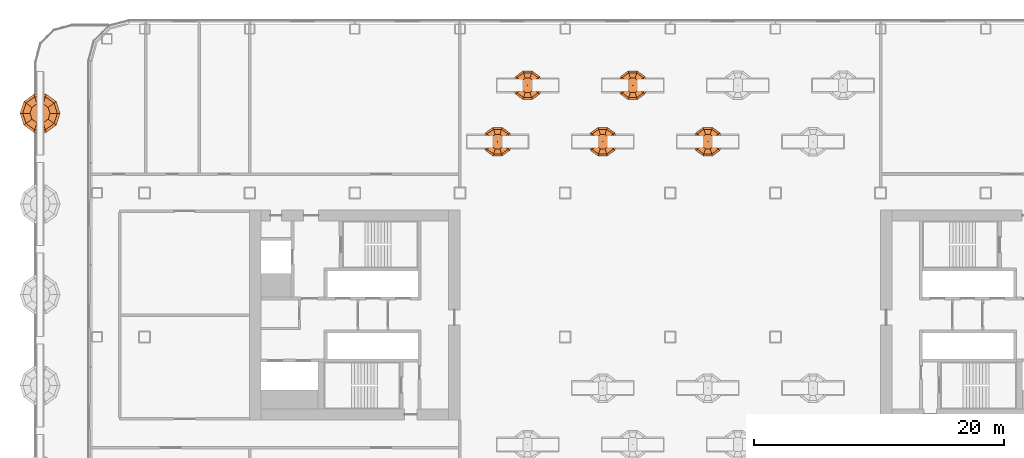
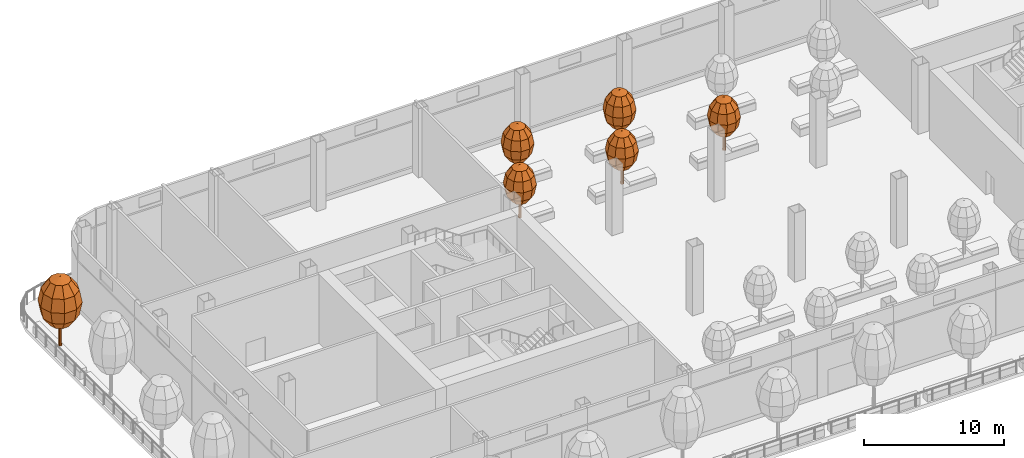
# One storey, part 41 of 44: 6 geographic elements.
"""IFC4 building model written with IfcOpenShell, lengths in metres."""

from ifc_helpers import new_model, si_unit, direction, frame, origin, place, context, subcontext, project, spatial, triangles, material, type_object, element, save


model = new_model("IFC4")

# Units and contexts
model_context = context("Model", 3, precision=1e-05, world=origin(), true_north=direction((0.0, 1.0)))
body_context = subcontext(model_context, "Body", "Model", "MODEL_VIEW")
ifc_project = project(units=[si_unit("LENGTHUNIT", "METRE"), si_unit("AREAUNIT", "SQUARE_METRE"), si_unit("VOLUMEUNIT", "CUBIC_METRE"), si_unit("PLANEANGLEUNIT", "RADIAN"), si_unit("MASSUNIT", "GRAM", prefix="KILO")], contexts=[model_context])

# Site, building, storey
site_placement = place(None, origin())
site = spatial("IfcSite", under=ifc_project, at=site_placement, CompositionType="ELEMENT")
building_placement = place(site_placement, origin())
building = spatial("IfcBuilding", under=site, at=building_placement, Name="Hakoniwa Tower and Hamabe Station Hall", CompositionType="ELEMENT")
storey_placement = place(building_placement, frame((0.0, 0.0, 69.0)))
storey = spatial("IfcBuildingStorey", under=building, at=storey_placement, Name="L19", CompositionType="ELEMENT", Elevation=69.0)

# Geographic elements
ifc_material_1 = material(Name="Tree foliage")
geographic_element_type_1 = type_object("IfcGeographicElementType", Name="Camellia 4.6 m", PredefinedType="USERDEFINED", material=ifc_material_1)
geographic_element_1_placement = place(storey_placement, frame((-13.800048828125, 13.85009765625, 0.60009765625)))
element("IfcGeographicElement", 1, at=geographic_element_1_placement, inside=storey, type_object=geographic_element_type_1, Name="Camellia 4-6 m", ObjectType="TREE", PredefinedType="USERDEFINED", context=body_context, shape_type="Tessellation", body=[
    triangles([(0.125, 0.0, 0.0), (0.08837890625, 0.08837890625, 0.0), (0.0, 0.125, 0.0), (-0.08837890625, 0.08837890625, 0.0), (-0.125, 0.0, 0.0), (-0.08837890625, -0.08837890625, 0.0), (0.0, -0.125, 0.0), (0.08837890625, -0.08837890625, 0.0), (0.074951171875, 0.0, 2.778564453125), (0.052978515625, 0.052978515625, 2.778564453125), (0.0, 0.074951171875, 2.778564453125), (-0.052978515625, 0.052978515625, 2.778564453125), (-0.074951171875, 0.0, 2.778564453125), (-0.052978515625, -0.052978515625, 2.778564453125), (0.0, -0.074951171875, 2.778564453125), (0.052978515625, -0.052978515625, 2.778564453125), (0.0, 0.0, 0.0), (0.0, 0.0, 2.778564453125)], [[1, 2, 10], [1, 10, 9], [17, 2, 1], [18, 9, 10], [2, 3, 11], [2, 11, 10], [17, 3, 2], [18, 10, 11], [3, 4, 12], [3, 12, 11], [17, 4, 3], [18, 11, 12], [4, 5, 13], [4, 13, 12], [17, 5, 4], [18, 12, 13], [5, 6, 14], [5, 14, 13], [17, 6, 5], [18, 13, 14], [6, 7, 15], [6, 15, 14], [17, 7, 6], [18, 14, 15], [7, 8, 16], [7, 16, 15], [17, 8, 7], [18, 15, 16], [8, 1, 9], [8, 9, 16], [17, 1, 8], [18, 16, 9]], closed=True),
    triangles([(0.0, 0.0, 1.2880859375), (0.599853515625, 0.0, 1.510009765625), (0.4853515625, 0.3525390625, 1.510009765625), (0.185302734375, 0.570556640625, 1.510009765625), (-0.185302734375, 0.570556640625, 1.510009765625), (-0.4853515625, 0.3525390625, 1.510009765625), (-0.599853515625, 0.0, 1.510009765625), (-0.4853515625, -0.3525390625, 1.510009765625), (-0.185302734375, -0.570556640625, 1.510009765625), (0.185302734375, -0.570556640625, 1.510009765625), (0.4853515625, -0.3525390625, 1.510009765625), (1.039306640625, 0.0, 2.115966796875), (0.8408203125, 0.61083984375, 2.115966796875), (0.321044921875, 0.98828125, 2.115966796875), (-0.321044921875, 0.98828125, 2.115966796875), (-0.8408203125, 0.61083984375, 2.115966796875), (-1.039306640625, 0.0, 2.115966796875), (-0.8408203125, -0.61083984375, 2.115966796875), (-0.321044921875, -0.98828125, 2.115966796875), (0.321044921875, -0.98828125, 2.115966796875), (0.8408203125, -0.61083984375, 2.115966796875), (1.199951171875, 0.0, 2.944091796875), (0.970703125, 0.705322265625, 2.944091796875), (0.370849609375, 1.14111328125, 2.944091796875), (-0.370849609375, 1.14111328125, 2.944091796875), (-0.970703125, 0.705322265625, 2.944091796875), (-1.199951171875, 0.0, 2.944091796875), (-0.970703125, -0.705322265625, 2.944091796875), (-0.370849609375, -1.14111328125, 2.944091796875), (0.370849609375, -1.14111328125, 2.944091796875), (0.970703125, -0.705322265625, 2.944091796875), (1.039306640625, 0.0, 3.77197265625), (0.8408203125, 0.61083984375, 3.77197265625), (0.321044921875, 0.98828125, 3.77197265625), (-0.321044921875, 0.98828125, 3.77197265625), (-0.8408203125, 0.61083984375, 3.77197265625), (-1.039306640625, 0.0, 3.77197265625), (-0.8408203125, -0.61083984375, 3.77197265625), (-0.321044921875, -0.98828125, 3.77197265625), (0.321044921875, -0.98828125, 3.77197265625), (0.8408203125, -0.61083984375, 3.77197265625), (0.599853515625, 0.0, 4.378173828125), (0.4853515625, 0.3525390625, 4.378173828125), (0.185302734375, 0.570556640625, 4.378173828125), (-0.185302734375, 0.570556640625, 4.378173828125), (-0.4853515625, 0.3525390625, 4.378173828125), (-0.599853515625, 0.0, 4.378173828125), (-0.4853515625, -0.3525390625, 4.378173828125), (-0.185302734375, -0.570556640625, 4.378173828125), (0.185302734375, -0.570556640625, 4.378173828125), (0.4853515625, -0.3525390625, 4.378173828125), (0.0, 0.0, 4.60009765625)], [[1, 3, 2], [1, 4, 3], [1, 5, 4], [1, 6, 5], [1, 7, 6], [1, 8, 7], [1, 9, 8], [1, 10, 9], [1, 11, 10], [1, 2, 11], [2, 3, 13], [2, 13, 12], [3, 4, 14], [3, 14, 13], [4, 5, 15], [4, 15, 14], [5, 6, 16], [5, 16, 15], [6, 7, 17], [6, 17, 16], [7, 8, 18], [7, 18, 17], [8, 9, 19], [8, 19, 18], [9, 10, 20], [9, 20, 19], [10, 11, 21], [10, 21, 20], [11, 2, 12], [11, 12, 21], [12, 13, 23], [12, 23, 22], [13, 14, 24], [13, 24, 23], [14, 15, 25], [14, 25, 24], [15, 16, 26], [15, 26, 25], [16, 17, 27], [16, 27, 26], [17, 18, 28], [17, 28, 27], [18, 19, 29], [18, 29, 28], [19, 20, 30], [19, 30, 29], [20, 21, 31], [20, 31, 30], [21, 12, 22], [21, 22, 31], [22, 23, 33], [22, 33, 32], [23, 24, 34], [23, 34, 33], [24, 25, 35], [24, 35, 34], [25, 26, 36], [25, 36, 35], [26, 27, 37], [26, 37, 36], [27, 28, 38], [27, 38, 37], [28, 29, 39], [28, 39, 38], [29, 30, 40], [29, 40, 39], [30, 31, 41], [30, 41, 40], [31, 22, 32], [31, 32, 41], [32, 33, 43], [32, 43, 42], [33, 34, 44], [33, 44, 43], [34, 35, 45], [34, 45, 44], [35, 36, 46], [35, 46, 45], [36, 37, 47], [36, 47, 46], [37, 38, 48], [37, 48, 47], [38, 39, 49], [38, 49, 48], [39, 40, 50], [39, 50, 49], [40, 41, 51], [40, 51, 50], [41, 32, 42], [41, 42, 51], [52, 42, 43], [52, 43, 44], [52, 44, 45], [52, 45, 46], [52, 46, 47], [52, 47, 48], [52, 48, 49], [52, 49, 50], [52, 50, 51], [52, 51, 42]], closed=True),
])
geographic_element_2_placement = place(storey_placement, frame((-5.39990234375, 13.85009765625, 0.60009765625)))
element("IfcGeographicElement", 2, at=geographic_element_2_placement, inside=storey, type_object=geographic_element_type_1, Name="Camellia 4-6 m", ObjectType="TREE", PredefinedType="USERDEFINED", context=body_context, shape_type="Tessellation", body=[
    triangles([(0.125, 0.0, 0.0), (0.08837890625, 0.08837890625, 0.0), (0.0, 0.125, 0.0), (-0.08837890625, 0.08837890625, 0.0), (-0.125, 0.0, 0.0), (-0.08837890625, -0.08837890625, 0.0), (0.0, -0.125, 0.0), (0.08837890625, -0.08837890625, 0.0), (0.074951171875, 0.0, 2.778564453125), (0.052978515625, 0.052978515625, 2.778564453125), (0.0, 0.074951171875, 2.778564453125), (-0.052978515625, 0.052978515625, 2.778564453125), (-0.074951171875, 0.0, 2.778564453125), (-0.052978515625, -0.052978515625, 2.778564453125), (0.0, -0.074951171875, 2.778564453125), (0.052978515625, -0.052978515625, 2.778564453125), (0.0, 0.0, 0.0), (0.0, 0.0, 2.778564453125)], [[1, 2, 10], [1, 10, 9], [17, 2, 1], [18, 9, 10], [2, 3, 11], [2, 11, 10], [17, 3, 2], [18, 10, 11], [3, 4, 12], [3, 12, 11], [17, 4, 3], [18, 11, 12], [4, 5, 13], [4, 13, 12], [17, 5, 4], [18, 12, 13], [5, 6, 14], [5, 14, 13], [17, 6, 5], [18, 13, 14], [6, 7, 15], [6, 15, 14], [17, 7, 6], [18, 14, 15], [7, 8, 16], [7, 16, 15], [17, 8, 7], [18, 15, 16], [8, 1, 9], [8, 9, 16], [17, 1, 8], [18, 16, 9]], closed=True),
    triangles([(0.0, 0.0, 1.2880859375), (0.599853515625, 0.0, 1.510009765625), (0.4853515625, 0.3525390625, 1.510009765625), (0.185302734375, 0.570556640625, 1.510009765625), (-0.185302734375, 0.570556640625, 1.510009765625), (-0.4853515625, 0.3525390625, 1.510009765625), (-0.599853515625, 0.0, 1.510009765625), (-0.4853515625, -0.3525390625, 1.510009765625), (-0.185302734375, -0.570556640625, 1.510009765625), (0.185302734375, -0.570556640625, 1.510009765625), (0.4853515625, -0.3525390625, 1.510009765625), (1.039306640625, 0.0, 2.115966796875), (0.8408203125, 0.61083984375, 2.115966796875), (0.321044921875, 0.98828125, 2.115966796875), (-0.321044921875, 0.98828125, 2.115966796875), (-0.8408203125, 0.61083984375, 2.115966796875), (-1.039306640625, 0.0, 2.115966796875), (-0.8408203125, -0.61083984375, 2.115966796875), (-0.321044921875, -0.98828125, 2.115966796875), (0.321044921875, -0.98828125, 2.115966796875), (0.8408203125, -0.61083984375, 2.115966796875), (1.199951171875, 0.0, 2.944091796875), (0.970703125, 0.705322265625, 2.944091796875), (0.370849609375, 1.14111328125, 2.944091796875), (-0.370849609375, 1.14111328125, 2.944091796875), (-0.970703125, 0.705322265625, 2.944091796875), (-1.199951171875, 0.0, 2.944091796875), (-0.970703125, -0.705322265625, 2.944091796875), (-0.370849609375, -1.14111328125, 2.944091796875), (0.370849609375, -1.14111328125, 2.944091796875), (0.970703125, -0.705322265625, 2.944091796875), (1.039306640625, 0.0, 3.77197265625), (0.8408203125, 0.61083984375, 3.77197265625), (0.321044921875, 0.98828125, 3.77197265625), (-0.321044921875, 0.98828125, 3.77197265625), (-0.8408203125, 0.61083984375, 3.77197265625), (-1.039306640625, 0.0, 3.77197265625), (-0.8408203125, -0.61083984375, 3.77197265625), (-0.321044921875, -0.98828125, 3.77197265625), (0.321044921875, -0.98828125, 3.77197265625), (0.8408203125, -0.61083984375, 3.77197265625), (0.599853515625, 0.0, 4.378173828125), (0.4853515625, 0.3525390625, 4.378173828125), (0.185302734375, 0.570556640625, 4.378173828125), (-0.185302734375, 0.570556640625, 4.378173828125), (-0.4853515625, 0.3525390625, 4.378173828125), (-0.599853515625, 0.0, 4.378173828125), (-0.4853515625, -0.3525390625, 4.378173828125), (-0.185302734375, -0.570556640625, 4.378173828125), (0.185302734375, -0.570556640625, 4.378173828125), (0.4853515625, -0.3525390625, 4.378173828125), (0.0, 0.0, 4.60009765625)], [[1, 3, 2], [1, 4, 3], [1, 5, 4], [1, 6, 5], [1, 7, 6], [1, 8, 7], [1, 9, 8], [1, 10, 9], [1, 11, 10], [1, 2, 11], [2, 3, 13], [2, 13, 12], [3, 4, 14], [3, 14, 13], [4, 5, 15], [4, 15, 14], [5, 6, 16], [5, 16, 15], [6, 7, 17], [6, 17, 16], [7, 8, 18], [7, 18, 17], [8, 9, 19], [8, 19, 18], [9, 10, 20], [9, 20, 19], [10, 11, 21], [10, 21, 20], [11, 2, 12], [11, 12, 21], [12, 13, 23], [12, 23, 22], [13, 14, 24], [13, 24, 23], [14, 15, 25], [14, 25, 24], [15, 16, 26], [15, 26, 25], [16, 17, 27], [16, 27, 26], [17, 18, 28], [17, 28, 27], [18, 19, 29], [18, 29, 28], [19, 20, 30], [19, 30, 29], [20, 21, 31], [20, 31, 30], [21, 12, 22], [21, 22, 31], [22, 23, 33], [22, 33, 32], [23, 24, 34], [23, 34, 33], [24, 25, 35], [24, 35, 34], [25, 26, 36], [25, 36, 35], [26, 27, 37], [26, 37, 36], [27, 28, 38], [27, 38, 37], [28, 29, 39], [28, 39, 38], [29, 30, 40], [29, 40, 39], [30, 31, 41], [30, 41, 40], [31, 22, 32], [31, 32, 41], [32, 33, 43], [32, 43, 42], [33, 34, 44], [33, 44, 43], [34, 35, 45], [34, 45, 44], [35, 36, 46], [35, 46, 45], [36, 37, 47], [36, 47, 46], [37, 38, 48], [37, 48, 47], [38, 39, 49], [38, 49, 48], [39, 40, 50], [39, 50, 49], [40, 41, 51], [40, 51, 50], [41, 32, 42], [41, 42, 51], [52, 42, 43], [52, 43, 44], [52, 44, 45], [52, 45, 46], [52, 46, 47], [52, 47, 48], [52, 48, 49], [52, 49, 50], [52, 50, 51], [52, 51, 42]], closed=True),
])
geographic_element_3_placement = place(storey_placement, frame((3.0, 13.85009765625, 0.60009765625)))
element("IfcGeographicElement", 3, at=geographic_element_3_placement, inside=storey, type_object=geographic_element_type_1, Name="Camellia 4-6 m", ObjectType="TREE", PredefinedType="USERDEFINED", context=body_context, shape_type="Tessellation", body=[
    triangles([(0.125, 0.0, 0.0), (0.08837890625, 0.08837890625, 0.0), (0.0, 0.125, 0.0), (-0.08837890625, 0.08837890625, 0.0), (-0.125, 0.0, 0.0), (-0.08837890625, -0.08837890625, 0.0), (0.0, -0.125, 0.0), (0.08837890625, -0.08837890625, 0.0), (0.074951171875, 0.0, 2.778564453125), (0.052978515625, 0.052978515625, 2.778564453125), (0.0, 0.074951171875, 2.778564453125), (-0.052978515625, 0.052978515625, 2.778564453125), (-0.074951171875, 0.0, 2.778564453125), (-0.052978515625, -0.052978515625, 2.778564453125), (0.0, -0.074951171875, 2.778564453125), (0.052978515625, -0.052978515625, 2.778564453125), (0.0, 0.0, 0.0), (0.0, 0.0, 2.778564453125)], [[1, 2, 10], [1, 10, 9], [17, 2, 1], [18, 9, 10], [2, 3, 11], [2, 11, 10], [17, 3, 2], [18, 10, 11], [3, 4, 12], [3, 12, 11], [17, 4, 3], [18, 11, 12], [4, 5, 13], [4, 13, 12], [17, 5, 4], [18, 12, 13], [5, 6, 14], [5, 14, 13], [17, 6, 5], [18, 13, 14], [6, 7, 15], [6, 15, 14], [17, 7, 6], [18, 14, 15], [7, 8, 16], [7, 16, 15], [17, 8, 7], [18, 15, 16], [8, 1, 9], [8, 9, 16], [17, 1, 8], [18, 16, 9]], closed=True),
    triangles([(0.0, 0.0, 1.2880859375), (0.599853515625, 0.0, 1.510009765625), (0.4853515625, 0.3525390625, 1.510009765625), (0.185302734375, 0.570556640625, 1.510009765625), (-0.185302734375, 0.570556640625, 1.510009765625), (-0.4853515625, 0.3525390625, 1.510009765625), (-0.599853515625, 0.0, 1.510009765625), (-0.4853515625, -0.3525390625, 1.510009765625), (-0.185302734375, -0.570556640625, 1.510009765625), (0.185302734375, -0.570556640625, 1.510009765625), (0.4853515625, -0.3525390625, 1.510009765625), (1.039306640625, 0.0, 2.115966796875), (0.8408203125, 0.61083984375, 2.115966796875), (0.321044921875, 0.98828125, 2.115966796875), (-0.321044921875, 0.98828125, 2.115966796875), (-0.8408203125, 0.61083984375, 2.115966796875), (-1.039306640625, 0.0, 2.115966796875), (-0.8408203125, -0.61083984375, 2.115966796875), (-0.321044921875, -0.98828125, 2.115966796875), (0.321044921875, -0.98828125, 2.115966796875), (0.8408203125, -0.61083984375, 2.115966796875), (1.199951171875, 0.0, 2.944091796875), (0.970703125, 0.705322265625, 2.944091796875), (0.370849609375, 1.14111328125, 2.944091796875), (-0.370849609375, 1.14111328125, 2.944091796875), (-0.970703125, 0.705322265625, 2.944091796875), (-1.199951171875, 0.0, 2.944091796875), (-0.970703125, -0.705322265625, 2.944091796875), (-0.370849609375, -1.14111328125, 2.944091796875), (0.370849609375, -1.14111328125, 2.944091796875), (0.970703125, -0.705322265625, 2.944091796875), (1.039306640625, 0.0, 3.77197265625), (0.8408203125, 0.61083984375, 3.77197265625), (0.321044921875, 0.98828125, 3.77197265625), (-0.321044921875, 0.98828125, 3.77197265625), (-0.8408203125, 0.61083984375, 3.77197265625), (-1.039306640625, 0.0, 3.77197265625), (-0.8408203125, -0.61083984375, 3.77197265625), (-0.321044921875, -0.98828125, 3.77197265625), (0.321044921875, -0.98828125, 3.77197265625), (0.8408203125, -0.61083984375, 3.77197265625), (0.599853515625, 0.0, 4.378173828125), (0.4853515625, 0.3525390625, 4.378173828125), (0.185302734375, 0.570556640625, 4.378173828125), (-0.185302734375, 0.570556640625, 4.378173828125), (-0.4853515625, 0.3525390625, 4.378173828125), (-0.599853515625, 0.0, 4.378173828125), (-0.4853515625, -0.3525390625, 4.378173828125), (-0.185302734375, -0.570556640625, 4.378173828125), (0.185302734375, -0.570556640625, 4.378173828125), (0.4853515625, -0.3525390625, 4.378173828125), (0.0, 0.0, 4.60009765625)], [[1, 3, 2], [1, 4, 3], [1, 5, 4], [1, 6, 5], [1, 7, 6], [1, 8, 7], [1, 9, 8], [1, 10, 9], [1, 11, 10], [1, 2, 11], [2, 3, 13], [2, 13, 12], [3, 4, 14], [3, 14, 13], [4, 5, 15], [4, 15, 14], [5, 6, 16], [5, 16, 15], [6, 7, 17], [6, 17, 16], [7, 8, 18], [7, 18, 17], [8, 9, 19], [8, 19, 18], [9, 10, 20], [9, 20, 19], [10, 11, 21], [10, 21, 20], [11, 2, 12], [11, 12, 21], [12, 13, 23], [12, 23, 22], [13, 14, 24], [13, 24, 23], [14, 15, 25], [14, 25, 24], [15, 16, 26], [15, 26, 25], [16, 17, 27], [16, 27, 26], [17, 18, 28], [17, 28, 27], [18, 19, 29], [18, 29, 28], [19, 20, 30], [19, 30, 29], [20, 21, 31], [20, 31, 30], [21, 12, 22], [21, 22, 31], [22, 23, 33], [22, 33, 32], [23, 24, 34], [23, 34, 33], [24, 25, 35], [24, 35, 34], [25, 26, 36], [25, 36, 35], [26, 27, 37], [26, 37, 36], [27, 28, 38], [27, 38, 37], [28, 29, 39], [28, 39, 38], [29, 30, 40], [29, 40, 39], [30, 31, 41], [30, 41, 40], [31, 22, 32], [31, 32, 41], [32, 33, 43], [32, 43, 42], [33, 34, 44], [33, 44, 43], [34, 35, 45], [34, 45, 44], [35, 36, 46], [35, 46, 45], [36, 37, 47], [36, 47, 46], [37, 38, 48], [37, 48, 47], [38, 39, 49], [38, 49, 48], [39, 40, 50], [39, 50, 49], [40, 41, 51], [40, 51, 50], [41, 32, 42], [41, 42, 51], [52, 42, 43], [52, 43, 44], [52, 44, 45], [52, 45, 46], [52, 46, 47], [52, 47, 48], [52, 48, 49], [52, 49, 50], [52, 50, 51], [52, 51, 42]], closed=True),
])
geographic_element_4_placement = place(storey_placement, frame((-11.39990234375, 18.35009765625, 0.60009765625)))
element("IfcGeographicElement", 4, at=geographic_element_4_placement, inside=storey, type_object=geographic_element_type_1, Name="Camellia 4-6 m", ObjectType="TREE", PredefinedType="USERDEFINED", context=body_context, shape_type="Tessellation", body=[
    triangles([(0.125, 0.0, 0.0), (0.08837890625, 0.08837890625, 0.0), (0.0, 0.125, 0.0), (-0.08837890625, 0.08837890625, 0.0), (-0.125, 0.0, 0.0), (-0.08837890625, -0.08837890625, 0.0), (0.0, -0.125, 0.0), (0.08837890625, -0.08837890625, 0.0), (0.074951171875, 0.0, 2.778564453125), (0.052978515625, 0.052978515625, 2.778564453125), (0.0, 0.074951171875, 2.778564453125), (-0.052978515625, 0.052978515625, 2.778564453125), (-0.074951171875, 0.0, 2.778564453125), (-0.052978515625, -0.052978515625, 2.778564453125), (0.0, -0.074951171875, 2.778564453125), (0.052978515625, -0.052978515625, 2.778564453125), (0.0, 0.0, 0.0), (0.0, 0.0, 2.778564453125)], [[1, 2, 10], [1, 10, 9], [17, 2, 1], [18, 9, 10], [2, 3, 11], [2, 11, 10], [17, 3, 2], [18, 10, 11], [3, 4, 12], [3, 12, 11], [17, 4, 3], [18, 11, 12], [4, 5, 13], [4, 13, 12], [17, 5, 4], [18, 12, 13], [5, 6, 14], [5, 14, 13], [17, 6, 5], [18, 13, 14], [6, 7, 15], [6, 15, 14], [17, 7, 6], [18, 14, 15], [7, 8, 16], [7, 16, 15], [17, 8, 7], [18, 15, 16], [8, 1, 9], [8, 9, 16], [17, 1, 8], [18, 16, 9]], closed=True),
    triangles([(0.0, 0.0, 1.2880859375), (0.599853515625, 0.0, 1.510009765625), (0.4853515625, 0.3525390625, 1.510009765625), (0.185302734375, 0.570556640625, 1.510009765625), (-0.185302734375, 0.570556640625, 1.510009765625), (-0.4853515625, 0.3525390625, 1.510009765625), (-0.599853515625, 0.0, 1.510009765625), (-0.4853515625, -0.3525390625, 1.510009765625), (-0.185302734375, -0.570556640625, 1.510009765625), (0.185302734375, -0.570556640625, 1.510009765625), (0.4853515625, -0.3525390625, 1.510009765625), (1.039306640625, 0.0, 2.115966796875), (0.8408203125, 0.61083984375, 2.115966796875), (0.321044921875, 0.98828125, 2.115966796875), (-0.321044921875, 0.98828125, 2.115966796875), (-0.8408203125, 0.61083984375, 2.115966796875), (-1.039306640625, 0.0, 2.115966796875), (-0.8408203125, -0.61083984375, 2.115966796875), (-0.321044921875, -0.98828125, 2.115966796875), (0.321044921875, -0.98828125, 2.115966796875), (0.8408203125, -0.61083984375, 2.115966796875), (1.199951171875, 0.0, 2.944091796875), (0.970703125, 0.705322265625, 2.944091796875), (0.370849609375, 1.14111328125, 2.944091796875), (-0.370849609375, 1.14111328125, 2.944091796875), (-0.970703125, 0.705322265625, 2.944091796875), (-1.199951171875, 0.0, 2.944091796875), (-0.970703125, -0.705322265625, 2.944091796875), (-0.370849609375, -1.14111328125, 2.944091796875), (0.370849609375, -1.14111328125, 2.944091796875), (0.970703125, -0.705322265625, 2.944091796875), (1.039306640625, 0.0, 3.77197265625), (0.8408203125, 0.61083984375, 3.77197265625), (0.321044921875, 0.98828125, 3.77197265625), (-0.321044921875, 0.98828125, 3.77197265625), (-0.8408203125, 0.61083984375, 3.77197265625), (-1.039306640625, 0.0, 3.77197265625), (-0.8408203125, -0.61083984375, 3.77197265625), (-0.321044921875, -0.98828125, 3.77197265625), (0.321044921875, -0.98828125, 3.77197265625), (0.8408203125, -0.61083984375, 3.77197265625), (0.599853515625, 0.0, 4.378173828125), (0.4853515625, 0.3525390625, 4.378173828125), (0.185302734375, 0.570556640625, 4.378173828125), (-0.185302734375, 0.570556640625, 4.378173828125), (-0.4853515625, 0.3525390625, 4.378173828125), (-0.599853515625, 0.0, 4.378173828125), (-0.4853515625, -0.3525390625, 4.378173828125), (-0.185302734375, -0.570556640625, 4.378173828125), (0.185302734375, -0.570556640625, 4.378173828125), (0.4853515625, -0.3525390625, 4.378173828125), (0.0, 0.0, 4.60009765625)], [[1, 3, 2], [1, 4, 3], [1, 5, 4], [1, 6, 5], [1, 7, 6], [1, 8, 7], [1, 9, 8], [1, 10, 9], [1, 11, 10], [1, 2, 11], [2, 3, 13], [2, 13, 12], [3, 4, 14], [3, 14, 13], [4, 5, 15], [4, 15, 14], [5, 6, 16], [5, 16, 15], [6, 7, 17], [6, 17, 16], [7, 8, 18], [7, 18, 17], [8, 9, 19], [8, 19, 18], [9, 10, 20], [9, 20, 19], [10, 11, 21], [10, 21, 20], [11, 2, 12], [11, 12, 21], [12, 13, 23], [12, 23, 22], [13, 14, 24], [13, 24, 23], [14, 15, 25], [14, 25, 24], [15, 16, 26], [15, 26, 25], [16, 17, 27], [16, 27, 26], [17, 18, 28], [17, 28, 27], [18, 19, 29], [18, 29, 28], [19, 20, 30], [19, 30, 29], [20, 21, 31], [20, 31, 30], [21, 12, 22], [21, 22, 31], [22, 23, 33], [22, 33, 32], [23, 24, 34], [23, 34, 33], [24, 25, 35], [24, 35, 34], [25, 26, 36], [25, 36, 35], [26, 27, 37], [26, 37, 36], [27, 28, 38], [27, 38, 37], [28, 29, 39], [28, 39, 38], [29, 30, 40], [29, 40, 39], [30, 31, 41], [30, 41, 40], [31, 22, 32], [31, 32, 41], [32, 33, 43], [32, 43, 42], [33, 34, 44], [33, 44, 43], [34, 35, 45], [34, 45, 44], [35, 36, 46], [35, 46, 45], [36, 37, 47], [36, 47, 46], [37, 38, 48], [37, 48, 47], [38, 39, 49], [38, 49, 48], [39, 40, 50], [39, 50, 49], [40, 41, 51], [40, 51, 50], [41, 32, 42], [41, 42, 51], [52, 42, 43], [52, 43, 44], [52, 44, 45], [52, 45, 46], [52, 46, 47], [52, 47, 48], [52, 48, 49], [52, 49, 50], [52, 50, 51], [52, 51, 42]], closed=True),
])
geographic_element_5_placement = place(storey_placement, frame((-3.0, 18.35009765625, 0.60009765625)))
element("IfcGeographicElement", 5, at=geographic_element_5_placement, inside=storey, type_object=geographic_element_type_1, Name="Camellia 4-6 m", ObjectType="TREE", PredefinedType="USERDEFINED", context=body_context, shape_type="Tessellation", body=[
    triangles([(0.125, 0.0, 0.0), (0.08837890625, 0.08837890625, 0.0), (0.0, 0.125, 0.0), (-0.08837890625, 0.08837890625, 0.0), (-0.125, 0.0, 0.0), (-0.08837890625, -0.08837890625, 0.0), (0.0, -0.125, 0.0), (0.08837890625, -0.08837890625, 0.0), (0.074951171875, 0.0, 2.778564453125), (0.052978515625, 0.052978515625, 2.778564453125), (0.0, 0.074951171875, 2.778564453125), (-0.052978515625, 0.052978515625, 2.778564453125), (-0.074951171875, 0.0, 2.778564453125), (-0.052978515625, -0.052978515625, 2.778564453125), (0.0, -0.074951171875, 2.778564453125), (0.052978515625, -0.052978515625, 2.778564453125), (0.0, 0.0, 0.0), (0.0, 0.0, 2.778564453125)], [[1, 2, 10], [1, 10, 9], [17, 2, 1], [18, 9, 10], [2, 3, 11], [2, 11, 10], [17, 3, 2], [18, 10, 11], [3, 4, 12], [3, 12, 11], [17, 4, 3], [18, 11, 12], [4, 5, 13], [4, 13, 12], [17, 5, 4], [18, 12, 13], [5, 6, 14], [5, 14, 13], [17, 6, 5], [18, 13, 14], [6, 7, 15], [6, 15, 14], [17, 7, 6], [18, 14, 15], [7, 8, 16], [7, 16, 15], [17, 8, 7], [18, 15, 16], [8, 1, 9], [8, 9, 16], [17, 1, 8], [18, 16, 9]], closed=True),
    triangles([(0.0, 0.0, 1.2880859375), (0.599853515625, 0.0, 1.510009765625), (0.4853515625, 0.3525390625, 1.510009765625), (0.185302734375, 0.570556640625, 1.510009765625), (-0.185302734375, 0.570556640625, 1.510009765625), (-0.4853515625, 0.3525390625, 1.510009765625), (-0.599853515625, 0.0, 1.510009765625), (-0.4853515625, -0.3525390625, 1.510009765625), (-0.185302734375, -0.570556640625, 1.510009765625), (0.185302734375, -0.570556640625, 1.510009765625), (0.4853515625, -0.3525390625, 1.510009765625), (1.039306640625, 0.0, 2.115966796875), (0.8408203125, 0.61083984375, 2.115966796875), (0.321044921875, 0.98828125, 2.115966796875), (-0.321044921875, 0.98828125, 2.115966796875), (-0.8408203125, 0.61083984375, 2.115966796875), (-1.039306640625, 0.0, 2.115966796875), (-0.8408203125, -0.61083984375, 2.115966796875), (-0.321044921875, -0.98828125, 2.115966796875), (0.321044921875, -0.98828125, 2.115966796875), (0.8408203125, -0.61083984375, 2.115966796875), (1.199951171875, 0.0, 2.944091796875), (0.970703125, 0.705322265625, 2.944091796875), (0.370849609375, 1.14111328125, 2.944091796875), (-0.370849609375, 1.14111328125, 2.944091796875), (-0.970703125, 0.705322265625, 2.944091796875), (-1.199951171875, 0.0, 2.944091796875), (-0.970703125, -0.705322265625, 2.944091796875), (-0.370849609375, -1.14111328125, 2.944091796875), (0.370849609375, -1.14111328125, 2.944091796875), (0.970703125, -0.705322265625, 2.944091796875), (1.039306640625, 0.0, 3.77197265625), (0.8408203125, 0.61083984375, 3.77197265625), (0.321044921875, 0.98828125, 3.77197265625), (-0.321044921875, 0.98828125, 3.77197265625), (-0.8408203125, 0.61083984375, 3.77197265625), (-1.039306640625, 0.0, 3.77197265625), (-0.8408203125, -0.61083984375, 3.77197265625), (-0.321044921875, -0.98828125, 3.77197265625), (0.321044921875, -0.98828125, 3.77197265625), (0.8408203125, -0.61083984375, 3.77197265625), (0.599853515625, 0.0, 4.378173828125), (0.4853515625, 0.3525390625, 4.378173828125), (0.185302734375, 0.570556640625, 4.378173828125), (-0.185302734375, 0.570556640625, 4.378173828125), (-0.4853515625, 0.3525390625, 4.378173828125), (-0.599853515625, 0.0, 4.378173828125), (-0.4853515625, -0.3525390625, 4.378173828125), (-0.185302734375, -0.570556640625, 4.378173828125), (0.185302734375, -0.570556640625, 4.378173828125), (0.4853515625, -0.3525390625, 4.378173828125), (0.0, 0.0, 4.60009765625)], [[1, 3, 2], [1, 4, 3], [1, 5, 4], [1, 6, 5], [1, 7, 6], [1, 8, 7], [1, 9, 8], [1, 10, 9], [1, 11, 10], [1, 2, 11], [2, 3, 13], [2, 13, 12], [3, 4, 14], [3, 14, 13], [4, 5, 15], [4, 15, 14], [5, 6, 16], [5, 16, 15], [6, 7, 17], [6, 17, 16], [7, 8, 18], [7, 18, 17], [8, 9, 19], [8, 19, 18], [9, 10, 20], [9, 20, 19], [10, 11, 21], [10, 21, 20], [11, 2, 12], [11, 12, 21], [12, 13, 23], [12, 23, 22], [13, 14, 24], [13, 24, 23], [14, 15, 25], [14, 25, 24], [15, 16, 26], [15, 26, 25], [16, 17, 27], [16, 27, 26], [17, 18, 28], [17, 28, 27], [18, 19, 29], [18, 29, 28], [19, 20, 30], [19, 30, 29], [20, 21, 31], [20, 31, 30], [21, 12, 22], [21, 22, 31], [22, 23, 33], [22, 33, 32], [23, 24, 34], [23, 34, 33], [24, 25, 35], [24, 35, 34], [25, 26, 36], [25, 36, 35], [26, 27, 37], [26, 37, 36], [27, 28, 38], [27, 38, 37], [28, 29, 39], [28, 39, 38], [29, 30, 40], [29, 40, 39], [30, 31, 41], [30, 41, 40], [31, 22, 32], [31, 32, 41], [32, 33, 43], [32, 43, 42], [33, 34, 44], [33, 44, 43], [34, 35, 45], [34, 45, 44], [35, 36, 46], [35, 46, 45], [36, 37, 47], [36, 47, 46], [37, 38, 48], [37, 48, 47], [38, 39, 49], [38, 49, 48], [39, 40, 50], [39, 50, 49], [40, 41, 51], [40, 51, 50], [41, 32, 42], [41, 42, 51], [52, 42, 43], [52, 43, 44], [52, 44, 45], [52, 45, 46], [52, 46, 47], [52, 47, 48], [52, 48, 49], [52, 49, 50], [52, 50, 51], [52, 51, 42]], closed=True),
])
ifc_material_2 = material(Name="Tree foliage")
geographic_element_type_2 = type_object("IfcGeographicElementType", Name="Osmanthus 6.0 m", PredefinedType="USERDEFINED", material=ifc_material_2)
geographic_element_6_placement = place(storey_placement, frame((-50.35107421875, 16.114501953125, 0.89990234375)))
element("IfcGeographicElement", 6, at=geographic_element_6_placement, inside=storey, type_object=geographic_element_type_2, Name="Osmanthus 6-0 m", ObjectType="TREE", PredefinedType="USERDEFINED", context=body_context, shape_type="Tessellation", body=[
    triangles([(0.125, 0.0, 0.0), (0.08837890625, 0.08837890625, 0.0), (0.0, 0.125, 0.0), (-0.08837890625, 0.08837890625, 0.0), (-0.125, 0.0, 0.0), (-0.08837890625, -0.08837890625, 0.0), (0.0, -0.125, 0.0), (0.08837890625, -0.08837890625, 0.0), (0.074951171875, 0.0, 3.6240234375), (0.052978515625, 0.052978515625, 3.6240234375), (0.0, 0.074951171875, 3.6240234375), (-0.052978515625, 0.052978515625, 3.6240234375), (-0.074951171875, 0.0, 3.6240234375), (-0.052978515625, -0.052978515625, 3.6240234375), (0.0, -0.074951171875, 3.6240234375), (0.052978515625, -0.052978515625, 3.6240234375), (0.0, 0.0, 0.0), (0.0, 0.0, 3.6240234375)], [[1, 2, 10], [1, 10, 9], [17, 2, 1], [18, 9, 10], [2, 3, 11], [2, 11, 10], [17, 3, 2], [18, 10, 11], [3, 4, 12], [3, 12, 11], [17, 4, 3], [18, 11, 12], [4, 5, 13], [4, 13, 12], [17, 5, 4], [18, 12, 13], [5, 6, 14], [5, 14, 13], [17, 6, 5], [18, 13, 14], [6, 7, 15], [6, 15, 14], [17, 7, 6], [18, 14, 15], [7, 8, 16], [7, 16, 15], [17, 8, 7], [18, 15, 16], [8, 1, 9], [8, 9, 16], [17, 1, 8], [18, 16, 9]], closed=True),
    triangles([(0.0, 0.0, 1.679931640625), (0.800048828125, 0.0, 1.969482421875), (0.647216796875, 0.47021484375, 1.969482421875), (0.247314453125, 0.7607421875, 1.969482421875), (-0.247314453125, 0.7607421875, 1.969482421875), (-0.647216796875, 0.47021484375, 1.969482421875), (-0.800048828125, 0.0, 1.969482421875), (-0.647216796875, -0.47021484375, 1.969482421875), (-0.247314453125, -0.7607421875, 1.969482421875), (0.247314453125, -0.7607421875, 1.969482421875), (0.647216796875, -0.47021484375, 1.969482421875), (1.385498046875, 0.0, 2.760009765625), (1.12109375, 0.814453125, 2.760009765625), (0.42822265625, 1.31787109375, 2.760009765625), (-0.42822265625, 1.31787109375, 2.760009765625), (-1.12109375, 0.814453125, 2.760009765625), (-1.385498046875, 0.0, 2.760009765625), (-1.12109375, -0.814453125, 2.760009765625), (-0.42822265625, -1.31787109375, 2.760009765625), (0.42822265625, -1.31787109375, 2.760009765625), (1.12109375, -0.814453125, 2.760009765625), (1.60009765625, 0.0, 3.840087890625), (1.29443359375, 0.9404296875, 3.840087890625), (0.494384765625, 1.521728515625, 3.840087890625), (-0.494384765625, 1.521728515625, 3.840087890625), (-1.29443359375, 0.9404296875, 3.840087890625), (-1.60009765625, 0.0, 3.840087890625), (-1.29443359375, -0.9404296875, 3.840087890625), (-0.494384765625, -1.521728515625, 3.840087890625), (0.494384765625, -1.521728515625, 3.840087890625), (1.29443359375, -0.9404296875, 3.840087890625), (1.385498046875, 0.0, 4.919921875), (1.12109375, 0.814453125, 4.919921875), (0.42822265625, 1.31787109375, 4.919921875), (-0.42822265625, 1.31787109375, 4.919921875), (-1.12109375, 0.814453125, 4.919921875), (-1.385498046875, 0.0, 4.919921875), (-1.12109375, -0.814453125, 4.919921875), (-0.42822265625, -1.31787109375, 4.919921875), (0.42822265625, -1.31787109375, 4.919921875), (1.12109375, -0.814453125, 4.919921875), (0.800048828125, 0.0, 5.710693359375), (0.647216796875, 0.47021484375, 5.710693359375), (0.247314453125, 0.7607421875, 5.710693359375), (-0.247314453125, 0.7607421875, 5.710693359375), (-0.647216796875, 0.47021484375, 5.710693359375), (-0.800048828125, 0.0, 5.710693359375), (-0.647216796875, -0.47021484375, 5.710693359375), (-0.247314453125, -0.7607421875, 5.710693359375), (0.247314453125, -0.7607421875, 5.710693359375), (0.647216796875, -0.47021484375, 5.710693359375), (0.0, 0.0, 6.0)], [[1, 3, 2], [1, 4, 3], [1, 5, 4], [1, 6, 5], [1, 7, 6], [1, 8, 7], [1, 9, 8], [1, 10, 9], [1, 11, 10], [1, 2, 11], [2, 3, 13], [2, 13, 12], [3, 4, 14], [3, 14, 13], [4, 5, 15], [4, 15, 14], [5, 6, 16], [5, 16, 15], [6, 7, 17], [6, 17, 16], [7, 8, 18], [7, 18, 17], [8, 9, 19], [8, 19, 18], [9, 10, 20], [9, 20, 19], [10, 11, 21], [10, 21, 20], [11, 2, 12], [11, 12, 21], [12, 13, 23], [12, 23, 22], [13, 14, 24], [13, 24, 23], [14, 15, 25], [14, 25, 24], [15, 16, 26], [15, 26, 25], [16, 17, 27], [16, 27, 26], [17, 18, 28], [17, 28, 27], [18, 19, 29], [18, 29, 28], [19, 20, 30], [19, 30, 29], [20, 21, 31], [20, 31, 30], [21, 12, 22], [21, 22, 31], [22, 23, 33], [22, 33, 32], [23, 24, 34], [23, 34, 33], [24, 25, 35], [24, 35, 34], [25, 26, 36], [25, 36, 35], [26, 27, 37], [26, 37, 36], [27, 28, 38], [27, 38, 37], [28, 29, 39], [28, 39, 38], [29, 30, 40], [29, 40, 39], [30, 31, 41], [30, 41, 40], [31, 22, 32], [31, 32, 41], [32, 33, 43], [32, 43, 42], [33, 34, 44], [33, 44, 43], [34, 35, 45], [34, 45, 44], [35, 36, 46], [35, 46, 45], [36, 37, 47], [36, 47, 46], [37, 38, 48], [37, 48, 47], [38, 39, 49], [38, 49, 48], [39, 40, 50], [39, 50, 49], [40, 41, 51], [40, 51, 50], [41, 32, 42], [41, 42, 51], [52, 42, 43], [52, 43, 44], [52, 44, 45], [52, 45, 46], [52, 46, 47], [52, 47, 48], [52, 48, 49], [52, 49, 50], [52, 50, 51], [52, 51, 42]], closed=True),
])

save(model, "model.ifc")
